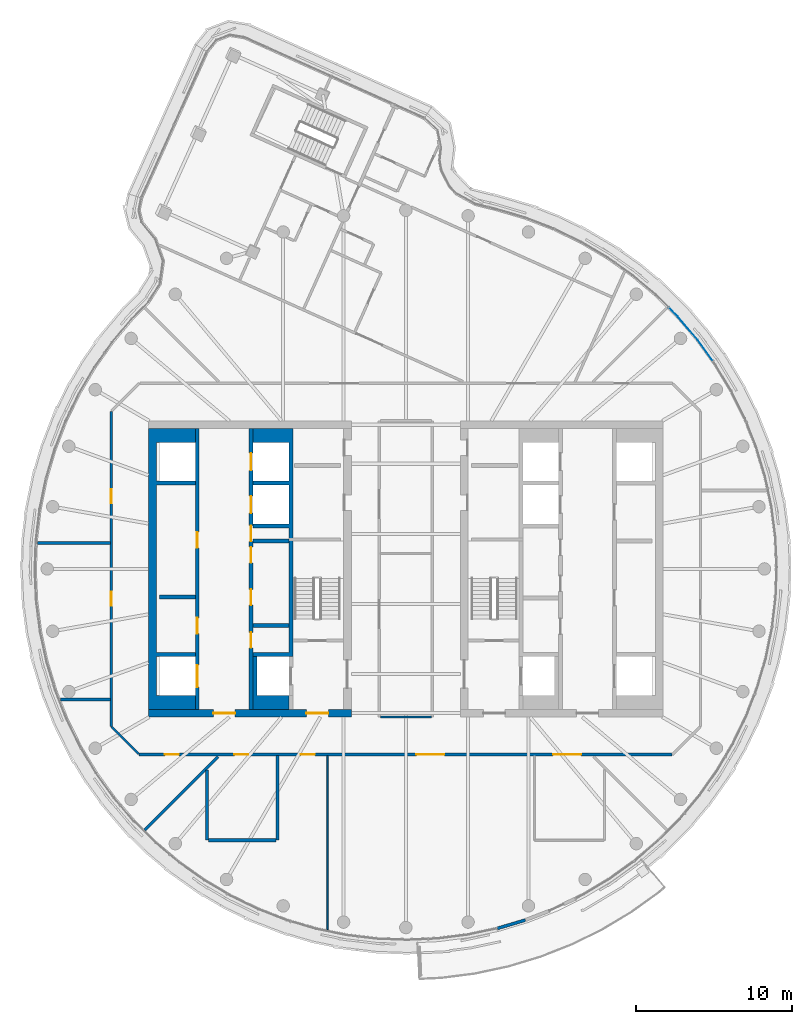
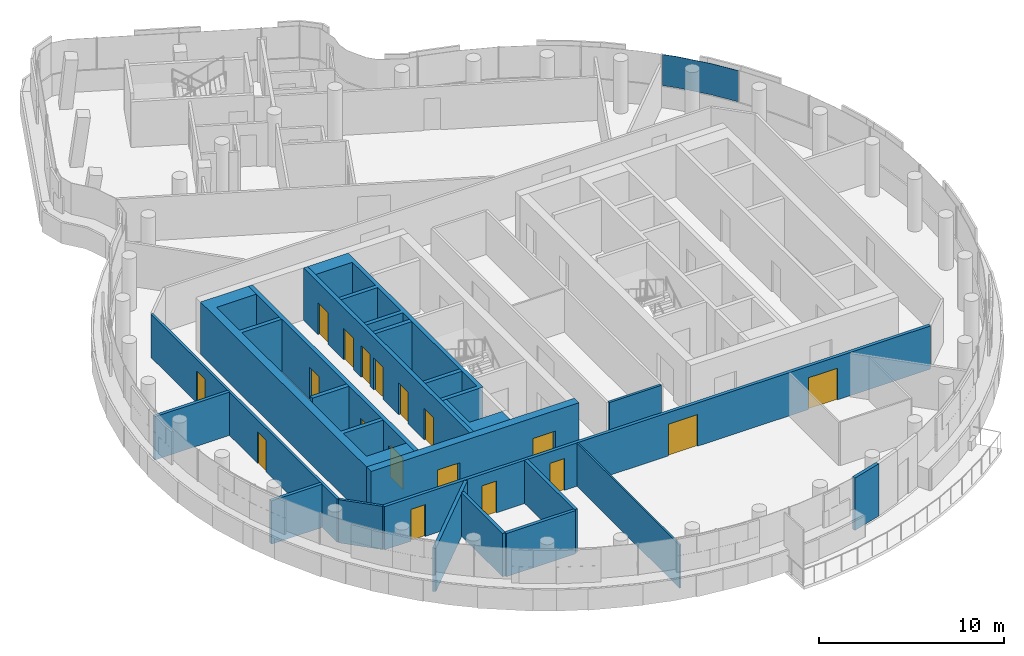
# One storey, part 13 of 21: 21 walls, 18 doors, 1 plate, 18 openings, 1 element without a shape of its own.
"""IFC4 building model written with IfcOpenShell, lengths in metres."""

from ifc_helpers import new_model, si_unit, direction, frame, frame_2d, origin, place, context, subcontext, project, spatial, polyline, rectangle, outline, extrude, material, layer, layer_set, type_object, element, fill, aggregate, save


model = new_model("IFC4")

# Units and contexts
model_context = context("Model", 3, precision=1e-05, world=origin(), true_north=direction((0.0, 1.0)))
body_context = subcontext(model_context, "Body", "Model", "MODEL_VIEW")
ifc_project = project(units=[si_unit("LENGTHUNIT", "METRE"), si_unit("AREAUNIT", "SQUARE_METRE"), si_unit("VOLUMEUNIT", "CUBIC_METRE"), si_unit("PLANEANGLEUNIT", "RADIAN"), si_unit("MASSUNIT", "GRAM", prefix="KILO")], contexts=[model_context])

# Site, building, storey
site_placement = place(None, origin())
site = spatial("IfcSite", under=ifc_project, at=site_placement, CompositionType="ELEMENT")
building_placement = place(site_placement, origin())
building = spatial("IfcBuilding", under=site, at=building_placement, Name="Tamarind Cross Interchange Tower", CompositionType="ELEMENT")
storey_placement = place(building_placement, frame((0.0, 0.0, 271.199951171875)))
storey = spatial("IfcBuildingStorey", under=building, at=storey_placement, Name="L69", CompositionType="ELEMENT", Elevation=271.199951171875)

# Curtain wall, plate
ifc_material_1 = material(Name="Aluminium 6063-T6", Category="aluminium")
ifc_layer_1 = layer(ifc_material_1, 0.139892578125)
ifc_layer_set_1 = layer_set([ifc_layer_1], Name="Aluminium 6063-T6")
curtain_wall_type = type_object("IfcCurtainWallType", Name="Hotel curtain wall, 4.5 m bays", PredefinedType="NOTDEFINED", material=ifc_layer_set_1)
curtain_wall_placement = place(storey_placement, origin())
curtain_wall = element("IfcCurtainWall", 1, at=curtain_wall_placement, inside=storey, type_object=curtain_wall_type, Name="CWS-L69-01", PredefinedType="NOTDEFINED")
ifc_material_2 = material(Name="Laminated low-e glass 6+1.52+6", Category="glass")
ifc_layer_2 = layer(ifc_material_2, 0.02392578125)
ifc_layer_set_2 = layer_set([ifc_layer_2], Name="Laminated low-e glass 6+1.52+6")
plate_type = type_object("IfcPlateType", Name="Vision panel CW2", PredefinedType="CURTAIN_PANEL", material=ifc_layer_set_2)
plate_placement = place(storey_placement, frame((0.0, 0.0, 1.400146484375)))
plate = element("IfcPlate", 2, at=plate_placement, type_object=plate_type, Name="CWP-L69-01-25", PredefinedType="CURTAIN_PANEL", context=body_context, shape_type="SweptSolid", body=[
    extrude(outline(polyline([(19.673828125, 13.345458984375), (18.705810546875, 14.68896484375), (17.4287109375, 16.183349609375), (16.87255859375, 16.735107421875), (16.889404296875, 16.751953125), (17.4462890625, 16.19970703125), (18.724609375, 14.703857421875), (19.693115234375, 13.359375), (19.673828125, 13.345458984375)])), origin(), (0.0, 0.0, 1.0), 2.059814453125),
])
aggregate(curtain_wall, [plate])

# Wall
ifc_material_3 = material(Name="Concrete C40", Category="concrete")
ifc_layer_3 = layer(ifc_material_3, 0.199951171875)
ifc_layer_set_3 = layer_set([ifc_layer_3], Name="Concrete C40")
wall_type_1 = type_object("IfcWallType", Name="Balcony and garden door wall", PredefinedType="SOLIDWALL", material=ifc_layer_set_3)
wall_1_placement = place(storey_placement, frame((5.86865234375, -23.0576171875, 0.0), z_axis=(0.0, 0.0, 1.0), x_axis=(0.958137061689, 0.28630992127, 0.0)))
element("IfcWall", 3, at=wall_1_placement, inside=storey, type_object=wall_type_1, Name="EXW-L69-01-D15L", PredefinedType="SOLIDWALL", context=body_context, shape_type="SweptSolid", body=[
    extrude(rectangle(XDim=1.877685546875, YDim=0.199951171875, at=frame_2d((0.93896484375, 0.0))), origin(), (0.0, 0.0, 1.0), 3.4599609375),
])

# Wall, openings, doors
ifc_material_4 = material(Name="Concrete C50", Category="concrete")
ifc_layer_4 = layer(ifc_material_4, 0.5)
ifc_layer_set_4 = layer_set([ifc_layer_4], Name="Concrete C50")
wall_type_2 = type_object("IfcWallType", Name="Core wall 500 mm Concrete C50", PredefinedType="SHEAR", material=ifc_layer_set_4)
wall_2_placement = place(storey_placement, frame((-16.5, -9.25, 0.0), z_axis=(0.0, 0.0, 1.0), x_axis=(1.0, 0.0, 0.0)))
wall_2 = element("IfcWall", 4, at=wall_2_placement, inside=storey, type_object=wall_type_2, Name="Core wall CWL-L69-W-S", PredefinedType="SHEAR", context=body_context, shape_type="SweptSolid", body=[
    extrude(rectangle(XDim=13.0, YDim=0.5, at=frame_2d((6.5, 0.0))), origin(), (0.0, 0.0, 1.0), 3.4599609375),
])
opening_1_placement = place(wall_2_placement, frame((4.14990234375, 0.0, 0.0)))
opening_1 = element("IfcOpeningElement", 5, at=opening_1_placement, cuts=wall_2, Name="Opening DCW1", PredefinedType="OPENING", context=body_context, shape_type="SweptSolid", body=[
    extrude(rectangle(XDim=1.39990234375, YDim=2.10009765625, at=frame_2d((0.699951171875, 1.050048828125))), frame((0.0, 0.260009765625, 0.0), z_axis=(0.0, -1.0, 0.0), x_axis=(1.0, 0.0, 0.0)), (0.0, 0.0, 1.0), 0.52001953125),
])
opening_2_placement = place(wall_2_placement, frame((10.125, 0.0, 0.0)))
opening_2 = element("IfcOpeningElement", 6, at=opening_2_placement, cuts=wall_2, Name="Opening DCWF", PredefinedType="OPENING", context=body_context, shape_type="SweptSolid", body=[
    extrude(rectangle(XDim=1.39990234375, YDim=2.10009765625, at=frame_2d((0.699951171875, 1.050048828125))), frame((0.0, 0.260009765625, 0.0), z_axis=(0.0, -1.0, 0.0), x_axis=(1.0, 0.0, 0.0)), (0.0, 0.0, 1.0), 0.52001953125),
])
ifc_material_5 = material(Name="Steel, fire-resisting", Category="steel")
door_type_1 = type_object("IfcDoorType", Name="Core fire door 1400 x 2100 FD90", OperationType="SINGLE_SWING_LEFT", PredefinedType="DOOR", material=ifc_material_5)
door_1_placement = place(opening_1_placement, origin())
door_1 = element("IfcDoor", 7, at=door_1_placement, inside=storey, type_object=door_type_1, Name="L69 lift lobby door", OperationType="SINGLE_SWING_LEFT", OverallHeight=2.10009765625, OverallWidth=1.39990234375, PredefinedType="DOOR", context=body_context, shape_type="SweptSolid", body=[
    extrude(rectangle(XDim=1.39990234375, YDim=2.10009765625, at=frame_2d((0.699951171875, 1.050048828125))), frame((0.0, 0.02490234375, 0.0), z_axis=(0.0, -1.0, 0.0), x_axis=(1.0, 0.0, 0.0)), (0.0, 0.0, 1.0), 0.050048828125),
])
fill(opening_1, door_1)
door_2_placement = place(opening_2_placement, origin())
door_2 = element("IfcDoor", 8, at=door_2_placement, inside=storey, type_object=door_type_1, Name="L69 firefighting lobby end door", OperationType="SINGLE_SWING_LEFT", OverallHeight=2.10009765625, OverallWidth=1.39990234375, PredefinedType="DOOR", context=body_context, shape_type="SweptSolid", body=[
    extrude(rectangle(XDim=1.39990234375, YDim=2.10009765625, at=frame_2d((0.699951171875, 1.050048828125))), frame((0.0, 0.02490234375, 0.0), z_axis=(0.0, -1.0, 0.0), x_axis=(1.0, 0.0, 0.0)), (0.0, 0.0, 1.0), 0.050048828125),
])
fill(opening_2, door_2)

# Walls
wall_3_placement = place(storey_placement, origin())
element("IfcWall", 9, at=wall_3_placement, inside=storey, type_object=wall_type_2, Name="Core wall CWL-L69-W-A", PredefinedType="SHEAR", context=body_context, shape_type="SweptSolid", body=[
    extrude(outline(polyline([(-13.5, -8.125), (-16.0, -8.125), (-16.0, -5.625), (-13.5, -5.625), (-13.5, -5.375), (-16.0, -5.375), (-16.0, 5.375), (-13.5, 5.375), (-13.5, 5.625), (-16.0, 5.625), (-16.0, 8.125), (-13.5, 8.125), (-13.5, 9.0), (-16.0, 9.0), (-16.5, 9.0), (-16.5, -9.0), (-16.0, -9.0), (-13.5, -9.0), (-13.5, -8.125)])), origin(), (0.0, 0.0, 1.0), 3.4599609375),
])
ifc_layer_5 = layer(ifc_material_4, 0.25)
ifc_layer_set_5 = layer_set([ifc_layer_5], Name="Concrete C50")
wall_type_3 = type_object("IfcWallType", Name="Core web wall 250 mm Concrete C50", PredefinedType="SHEAR", material=ifc_layer_set_5)
wall_4_placement = place(storey_placement, origin())
element("IfcWall", 10, at=wall_4_placement, inside=storey, type_object=wall_type_3, Name="Core wall CWL-L69-W-BN", PredefinedType="SHEAR", context=body_context, shape_type="SweptSolid", body=[
    extrude(outline(polyline([(-9.800048828125, -5.375), (-9.800048828125, -5.625), (-7.5, -5.625), (-7.25, -5.625), (-7.25, 9.0), (-7.5, 9.0), (-9.800048828125, 9.0), (-9.800048828125, 8.125), (-7.5, 8.125), (-7.5, 5.625), (-9.800048828125, 5.625), (-9.800048828125, 5.375), (-7.5, 5.375), (-7.5, 2.875), (-9.800048828125, 2.875), (-9.800048828125, 2.625), (-7.5, 2.625), (-7.5, -5.375), (-9.800048828125, -5.375)])), origin(), (0.0, 0.0, 1.0), 3.4599609375),
])
wall_5_placement = place(storey_placement, origin())
element("IfcWall", 11, at=wall_5_placement, inside=storey, type_object=wall_type_3, Name="Core wall CWL-L69-W-BS", PredefinedType="SHEAR", context=body_context, shape_type="SweptSolid", body=[
    extrude(outline(polyline([(-7.5, -8.125), (-9.550048828125, -8.125), (-9.550048828125, -5.625), (-9.800048828125, -5.625), (-9.800048828125, -8.125), (-9.800048828125, -9.0), (-7.5, -9.0), (-7.5, -8.125)])), origin(), (0.0, 0.0, 1.0), 3.4599609375),
])

# Wall, openings, doors
wall_6_placement = place(storey_placement, frame((-13.375, -9.0, 0.0), z_axis=(0.0, 0.0, 1.0), x_axis=(0.0, 1.0, 0.0)))
wall_6 = element("IfcWall", 12, at=wall_6_placement, inside=storey, type_object=wall_type_3, Name="Core wall CWL-L69-W-LA", PredefinedType="SHEAR", context=body_context, shape_type="SweptSolid", body=[
    extrude(rectangle(XDim=18.0, YDim=0.25, at=frame_2d((9.0, 0.0))), origin(), (0.0, 0.0, 1.0), 3.4599609375),
])
opening_3_placement = place(wall_6_placement, frame((1.425048828125, 0.0, 0.0)))
opening_3 = element("IfcOpeningElement", 13, at=opening_3_placement, cuts=wall_6, Name="Opening LD1L69", PredefinedType="OPENING", context=body_context, shape_type="SweptSolid", body=[
    extrude(rectangle(XDim=1.39990234375, YDim=2.10009765625, at=frame_2d((0.699951171875, 1.050048828125))), frame((0.0, 0.135009765625, 0.0), z_axis=(0.0, -1.0, 0.0), x_axis=(1.0, 0.0, 0.0)), (0.0, 0.0, 1.0), 0.27001953125),
])
opening_4_placement = place(wall_6_placement, frame((4.85400390625, 0.0, 0.0)))
opening_4 = element("IfcOpeningElement", 14, at=opening_4_placement, cuts=wall_6, Name="Opening DCW9", PredefinedType="OPENING", context=body_context, shape_type="SweptSolid", body=[
    extrude(rectangle(XDim=1.0, YDim=2.10009765625, at=frame_2d((0.5, 1.050048828125))), frame((0.0, 0.135009765625, 0.0), z_axis=(0.0, -1.0, 0.0), x_axis=(1.0, 0.0, 0.0)), (0.0, 0.0, 1.0), 0.27001953125),
])
opening_5_placement = place(wall_6_placement, frame((10.35400390625, 0.0, 0.0)))
opening_5 = element("IfcOpeningElement", 15, at=opening_5_placement, cuts=wall_6, Name="Opening DCW10", PredefinedType="OPENING", context=body_context, shape_type="SweptSolid", body=[
    extrude(rectangle(XDim=1.0, YDim=2.10009765625, at=frame_2d((0.5, 1.050048828125))), frame((0.0, 0.135009765625, 0.0), z_axis=(0.0, -1.0, 0.0), x_axis=(1.0, 0.0, 0.0)), (0.0, 0.0, 1.0), 0.27001953125),
])
door_type_2 = type_object("IfcDoorType", Name="Core fire door 1000 x 2100 FD90", OperationType="SINGLE_SWING_LEFT", PredefinedType="DOOR", material=ifc_material_5)
door_3_placement = place(opening_4_placement, origin())
door_3 = element("IfcDoor", 16, at=door_3_placement, inside=storey, type_object=door_type_2, Name="L69 Staff changing room door", OperationType="SINGLE_SWING_LEFT", OverallHeight=2.10009765625, OverallWidth=1.0, PredefinedType="DOOR", context=body_context, shape_type="SweptSolid", body=[
    extrude(rectangle(XDim=1.0, YDim=2.10009765625, at=frame_2d((0.5, 1.050048828125))), frame((0.0, 0.02490234375, 0.0), z_axis=(0.0, -1.0, 0.0), x_axis=(1.0, 0.0, 0.0)), (0.0, 0.0, 1.0), 0.050048828125),
])
fill(opening_4, door_3)
door_4_placement = place(opening_5_placement, origin())
door_4 = element("IfcDoor", 17, at=door_4_placement, inside=storey, type_object=door_type_2, Name="L69 Ice and vending room door", OperationType="SINGLE_SWING_LEFT", OverallHeight=2.10009765625, OverallWidth=1.0, PredefinedType="DOOR", context=body_context, shape_type="SweptSolid", body=[
    extrude(rectangle(XDim=1.0, YDim=2.10009765625, at=frame_2d((0.5, 1.050048828125))), frame((0.0, 0.02490234375, 0.0), z_axis=(0.0, -1.0, 0.0), x_axis=(1.0, 0.0, 0.0)), (0.0, 0.0, 1.0), 0.050048828125),
])
fill(opening_5, door_4)
ifc_material_6 = material(Name="Stainless steel panel", Category="steel")
door_type_3 = type_object("IfcDoorType", Name="Lift landing door 1400 x 2100 E 120", OperationType="SLIDING_TO_LEFT", PredefinedType="DOOR", material=ifc_material_6)
door_5_placement = place(opening_3_placement, origin())
door_5 = element("IfcDoor", 18, at=door_5_placement, inside=storey, type_object=door_type_3, Name="L69 landing door LF1", OperationType="SLIDING_TO_LEFT", OverallHeight=2.10009765625, OverallWidth=1.39990234375, PredefinedType="DOOR", context=body_context, shape_type="SweptSolid", body=[
    extrude(rectangle(XDim=1.39990234375, YDim=2.10009765625, at=frame_2d((0.699951171875, 1.050048828125))), frame((0.0, 0.02490234375, 0.0), z_axis=(0.0, -1.0, 0.0), x_axis=(1.0, 0.0, 0.0)), (0.0, 0.0, 1.0), 0.050048828125),
])
fill(opening_3, door_5)

wall_7_placement = place(storey_placement, frame((-9.925048828125, -9.0, 0.0), z_axis=(0.0, 0.0, 1.0), x_axis=(0.0, 1.0, 0.0)))
wall_7 = element("IfcWall", 19, at=wall_7_placement, inside=storey, type_object=wall_type_3, Name="Core wall CWL-L69-W-LB", PredefinedType="SHEAR", context=body_context, shape_type="SweptSolid", body=[
    extrude(rectangle(XDim=18.0, YDim=0.25, at=frame_2d((9.0, 0.0))), origin(), (0.0, 0.0, 1.0), 3.4599609375),
])
opening_6_placement = place(wall_7_placement, frame((12.574951171875, 0.0, 0.0)))
opening_6 = element("IfcOpeningElement", 20, at=opening_6_placement, cuts=wall_7, Name="Opening LD11L69", PredefinedType="OPENING", context=body_context, shape_type="SweptSolid", body=[
    extrude(rectangle(XDim=1.10009765625, YDim=2.10009765625, at=frame_2d((0.550048828125, 1.050048828125))), frame((0.0, 0.135009765625, 0.0), z_axis=(0.0, -1.0, 0.0), x_axis=(1.0, 0.0, 0.0)), (0.0, 0.0, 1.0), 0.27001953125),
])
opening_7_placement = place(wall_7_placement, frame((15.324951171875, 0.0, 0.0)))
opening_7 = element("IfcOpeningElement", 21, at=opening_7_placement, cuts=wall_7, Name="Opening LD12L69", PredefinedType="OPENING", context=body_context, shape_type="SweptSolid", body=[
    extrude(rectangle(XDim=1.10009765625, YDim=2.10009765625, at=frame_2d((0.550048828125, 1.050048828125))), frame((0.0, 0.135009765625, 0.0), z_axis=(0.0, -1.0, 0.0), x_axis=(1.0, 0.0, 0.0)), (0.0, 0.0, 1.0), 0.27001953125),
])
opening_8_placement = place(wall_7_placement, frame((3.9375, 0.0, 0.0)))
opening_8 = element("IfcOpeningElement", 22, at=opening_8_placement, cuts=wall_7, Name="Opening DCW21", PredefinedType="OPENING", context=body_context, shape_type="SweptSolid", body=[
    extrude(rectangle(XDim=1.0, YDim=2.10009765625, at=frame_2d((0.5, 1.050048828125))), frame((0.0, 0.135009765625, 0.0), z_axis=(0.0, -1.0, 0.0), x_axis=(1.0, 0.0, 0.0)), (0.0, 0.0, 1.0), 0.27001953125),
])
opening_9_placement = place(wall_7_placement, frame((6.6875, 0.0, 0.0)))
opening_9 = element("IfcOpeningElement", 23, at=opening_9_placement, cuts=wall_7, Name="Opening DCW22", PredefinedType="OPENING", context=body_context, shape_type="SweptSolid", body=[
    extrude(rectangle(XDim=1.0, YDim=2.10009765625, at=frame_2d((0.5, 1.050048828125))), frame((0.0, 0.135009765625, 0.0), z_axis=(0.0, -1.0, 0.0), x_axis=(1.0, 0.0, 0.0)), (0.0, 0.0, 1.0), 0.27001953125),
])
opening_10_placement = place(wall_7_placement, frame((9.39599609375, 0.0, 0.0)))
opening_10 = element("IfcOpeningElement", 24, at=opening_10_placement, cuts=wall_7, Name="Opening DCW21", PredefinedType="OPENING", context=body_context, shape_type="SweptSolid", body=[
    extrude(rectangle(XDim=1.0, YDim=2.10009765625, at=frame_2d((0.5, 1.050048828125))), frame((0.0, 0.135009765625, 0.0), z_axis=(0.0, -1.0, 0.0), x_axis=(1.0, 0.0, 0.0)), (0.0, 0.0, 1.0), 0.27001953125),
])
opening_11_placement = place(wall_7_placement, frame((10.77099609375, 0.0, 0.0)))
opening_11 = element("IfcOpeningElement", 25, at=opening_11_placement, cuts=wall_7, Name="Opening DCW22", PredefinedType="OPENING", context=body_context, shape_type="SweptSolid", body=[
    extrude(rectangle(XDim=1.0, YDim=2.10009765625, at=frame_2d((0.5, 1.050048828125))), frame((0.0, 0.135009765625, 0.0), z_axis=(0.0, -1.0, 0.0), x_axis=(1.0, 0.0, 0.0)), (0.0, 0.0, 1.0), 0.27001953125),
])
door_6_placement = place(opening_8_placement, origin())
door_6 = element("IfcDoor", 26, at=door_6_placement, inside=storey, type_object=door_type_2, Name="L69 Hotel pantry door", OperationType="SINGLE_SWING_LEFT", OverallHeight=2.10009765625, OverallWidth=1.0, PredefinedType="DOOR", context=body_context, shape_type="SweptSolid", body=[
    extrude(rectangle(XDim=1.0, YDim=2.10009765625, at=frame_2d((0.5, 1.050048828125))), frame((0.0, 0.02490234375, 0.0), z_axis=(0.0, -1.0, 0.0), x_axis=(1.0, 0.0, 0.0)), (0.0, 0.0, 1.0), 0.050048828125),
])
fill(opening_8, door_6)
door_7_placement = place(opening_9_placement, origin())
door_7 = element("IfcDoor", 27, at=door_7_placement, inside=storey, type_object=door_type_2, Name="L69 Staff changing room door", OperationType="SINGLE_SWING_LEFT", OverallHeight=2.10009765625, OverallWidth=1.0, PredefinedType="DOOR", context=body_context, shape_type="SweptSolid", body=[
    extrude(rectangle(XDim=1.0, YDim=2.10009765625, at=frame_2d((0.5, 1.050048828125))), frame((0.0, 0.02490234375, 0.0), z_axis=(0.0, -1.0, 0.0), x_axis=(1.0, 0.0, 0.0)), (0.0, 0.0, 1.0), 0.050048828125),
])
fill(opening_9, door_7)
door_8_placement = place(opening_10_placement, origin())
door_8 = element("IfcDoor", 28, at=door_8_placement, inside=storey, type_object=door_type_2, Name="L69 Hotel pantry door", OperationType="SINGLE_SWING_LEFT", OverallHeight=2.10009765625, OverallWidth=1.0, PredefinedType="DOOR", context=body_context, shape_type="SweptSolid", body=[
    extrude(rectangle(XDim=1.0, YDim=2.10009765625, at=frame_2d((0.5, 1.050048828125))), frame((0.0, 0.02490234375, 0.0), z_axis=(0.0, -1.0, 0.0), x_axis=(1.0, 0.0, 0.0)), (0.0, 0.0, 1.0), 0.050048828125),
])
fill(opening_10, door_8)
door_9_placement = place(opening_11_placement, origin())
door_9 = element("IfcDoor", 29, at=door_9_placement, inside=storey, type_object=door_type_2, Name="L69 Staff changing room door", OperationType="SINGLE_SWING_LEFT", OverallHeight=2.10009765625, OverallWidth=1.0, PredefinedType="DOOR", context=body_context, shape_type="SweptSolid", body=[
    extrude(rectangle(XDim=1.0, YDim=2.10009765625, at=frame_2d((0.5, 1.050048828125))), frame((0.0, 0.02490234375, 0.0), z_axis=(0.0, -1.0, 0.0), x_axis=(1.0, 0.0, 0.0)), (0.0, 0.0, 1.0), 0.050048828125),
])
fill(opening_11, door_9)
door_type_4 = type_object("IfcDoorType", Name="Lift landing door 1100 x 2100 E 120", OperationType="SLIDING_TO_LEFT", PredefinedType="DOOR", material=ifc_material_6)
door_10_placement = place(opening_6_placement, origin())
door_10 = element("IfcDoor", 30, at=door_10_placement, inside=storey, type_object=door_type_4, Name="L69 landing door LF11", OperationType="SLIDING_TO_LEFT", OverallHeight=2.10009765625, OverallWidth=1.10009765625, PredefinedType="DOOR", context=body_context, shape_type="SweptSolid", body=[
    extrude(rectangle(XDim=1.10009765625, YDim=2.10009765625, at=frame_2d((0.550048828125, 1.050048828125))), frame((0.0, 0.02490234375, 0.0), z_axis=(0.0, -1.0, 0.0), x_axis=(1.0, 0.0, 0.0)), (0.0, 0.0, 1.0), 0.050048828125),
])
fill(opening_6, door_10)
door_11_placement = place(opening_7_placement, origin())
door_11 = element("IfcDoor", 31, at=door_11_placement, inside=storey, type_object=door_type_4, Name="L69 landing door LF12", OperationType="SLIDING_TO_LEFT", OverallHeight=2.10009765625, OverallWidth=1.10009765625, PredefinedType="DOOR", context=body_context, shape_type="SweptSolid", body=[
    extrude(rectangle(XDim=1.10009765625, YDim=2.10009765625, at=frame_2d((0.550048828125, 1.050048828125))), frame((0.0, 0.02490234375, 0.0), z_axis=(0.0, -1.0, 0.0), x_axis=(1.0, 0.0, 0.0)), (0.0, 0.0, 1.0), 0.050048828125),
])
fill(opening_7, door_11)

# Walls
ifc_material_7 = material(Name="Gypsum board partition on steel studs", Category="steel")
ifc_layer_6 = layer(ifc_material_7, 0.10009765625)
ifc_layer_set_6 = layer_set([ifc_layer_6], Name="Gypsum board partition on steel studs")
wall_type_4 = type_object("IfcWallType", Name="Partition 100 mm EI 90", PredefinedType="PARTITIONING", material=ifc_layer_set_6)
wall_8_placement = place(storey_placement, frame((-5.02197265625, -23.13720703125, 0.0), z_axis=(0.0, 0.0, 1.0), x_axis=(0.0, 1.0, 0.0)))
element("IfcWall", 32, at=wall_8_placement, inside=storey, type_object=wall_type_4, Name="Partition L69-044", PredefinedType="PARTITIONING", context=body_context, shape_type="SweptSolid", body=[
    extrude(rectangle(XDim=11.1572265625, YDim=0.10009765625, at=frame_2d((5.57861328125, 0.0))), origin(), (0.0, 0.0, 1.0), 2.864013671875),
])
ifc_layer_7 = layer(ifc_material_7, 0.14990234375)
ifc_layer_set_7 = layer_set([ifc_layer_7], Name="Gypsum board partition on steel studs")
wall_type_5 = type_object("IfcWallType", Name="Partition 150 mm EI 120", PredefinedType="PARTITIONING", material=ifc_layer_set_7)
wall_9_placement = place(storey_placement, frame((-18.87158203125, -10.12841796875, 0.0), z_axis=(0.0, 0.0, 1.0), x_axis=(0.707106781187, -0.707106781187, 0.0)))
element("IfcWall", 33, at=wall_9_placement, inside=storey, type_object=wall_type_5, Name="Partition L69-001", PredefinedType="PARTITIONING", context=body_context, shape_type="SweptSolid", body=[
    extrude(rectangle(XDim=2.455078125, YDim=0.14990234375, at=frame_2d((1.2275390625, 0.0))), origin(), (0.0, 0.0, 1.0), 2.864013671875),
])
wall_10_placement = place(storey_placement, frame((-1.639892578125, -9.5, 0.0), z_axis=(0.0, 0.0, 1.0), x_axis=(1.0, 0.0, 0.0)))
element("IfcWall", 34, at=wall_10_placement, inside=storey, type_object=wall_type_5, Name="Partition L69-022", PredefinedType="PARTITIONING", context=body_context, shape_type="SweptSolid", body=[
    extrude(rectangle(XDim=3.27978515625, YDim=0.14990234375, at=frame_2d((1.639892578125, 0.0))), origin(), (0.0, 0.0, 1.0), 2.864013671875),
])

# Wall, openings, doors
wall_11_placement = place(storey_placement, frame((-18.89990234375, -10.10009765625, 0.0), z_axis=(0.0, 0.0, 1.0), x_axis=(0.0, 1.0, 0.0)))
wall_11 = element("IfcWall", 35, at=wall_11_placement, inside=storey, type_object=wall_type_5, Name="Partition L69-041", PredefinedType="PARTITIONING", context=body_context, shape_type="SweptSolid", body=[
    extrude(rectangle(XDim=20.2001953125, YDim=0.14990234375, at=frame_2d((10.10009765625, 0.0))), origin(), (0.0, 0.0, 1.0), 2.864013671875),
])
opening_12_placement = place(wall_11_placement, frame((7.72998046875, 0.0, 0.0)))
opening_12 = element("IfcOpeningElement", 36, at=opening_12_placement, cuts=wall_11, Name="Opening D20", PredefinedType="OPENING", context=body_context, shape_type="SweptSolid", body=[
    extrude(rectangle(XDim=0.89990234375, YDim=2.10009765625, at=frame_2d((0.449951171875, 1.050048828125))), frame((0.0, 0.0849609375, 0.0), z_axis=(0.0, -1.0, 0.0), x_axis=(1.0, 0.0, 0.0)), (0.0, 0.0, 1.0), 0.169921875),
])
opening_13_placement = place(wall_11_placement, frame((14.324951171875, 0.0, 0.0)))
opening_13 = element("IfcOpeningElement", 37, at=opening_13_placement, cuts=wall_11, Name="Opening D21", PredefinedType="OPENING", context=body_context, shape_type="SweptSolid", body=[
    extrude(rectangle(XDim=0.89990234375, YDim=2.10009765625, at=frame_2d((0.449951171875, 1.050048828125))), frame((0.0, 0.0849609375, 0.0), z_axis=(0.0, -1.0, 0.0), x_axis=(1.0, 0.0, 0.0)), (0.0, 0.0, 1.0), 0.169921875),
])
ifc_material_8 = material(Name="Fire-resisting door set")
door_type_5 = type_object("IfcDoorType", Name="Interior door 900 x 2100 FD60S", OperationType="SINGLE_SWING_LEFT", PredefinedType="DOOR", material=ifc_material_8)
door_12_placement = place(opening_12_placement, origin())
door_12 = element("IfcDoor", 38, at=door_12_placement, inside=storey, type_object=door_type_5, Name="Door D20", OperationType="SINGLE_SWING_RIGHT", OverallHeight=2.10009765625, OverallWidth=0.89990234375, PredefinedType="DOOR", context=body_context, shape_type="SweptSolid", body=[
    extrude(rectangle(XDim=0.89990234375, YDim=2.10009765625, at=frame_2d((0.449951171875, 1.050048828125))), frame((0.0, 0.02490234375, 0.0), z_axis=(0.0, -1.0, 0.0), x_axis=(1.0, 0.0, 0.0)), (0.0, 0.0, 1.0), 0.050048828125),
])
fill(opening_12, door_12)
door_13_placement = place(opening_13_placement, origin())
door_13 = element("IfcDoor", 39, at=door_13_placement, inside=storey, type_object=door_type_5, Name="Door D21", OperationType="SINGLE_SWING_LEFT", OverallHeight=2.10009765625, OverallWidth=0.89990234375, PredefinedType="DOOR", context=body_context, shape_type="SweptSolid", body=[
    extrude(rectangle(XDim=0.89990234375, YDim=2.10009765625, at=frame_2d((0.449951171875, 1.050048828125))), frame((0.0, 0.02490234375, 0.0), z_axis=(0.0, -1.0, 0.0), x_axis=(1.0, 0.0, 0.0)), (0.0, 0.0, 1.0), 0.050048828125),
])
fill(opening_13, door_13)

# Walls
ifc_layer_8 = layer(ifc_material_7, 0.199951171875)
ifc_layer_set_8 = layer_set([ifc_layer_8], Name="Gypsum board partition on steel studs")
wall_type_6 = type_object("IfcWallType", Name="Partition 200 mm EI 180", PredefinedType="PARTITIONING", material=ifc_layer_set_8)
wall_12_placement = place(storey_placement, frame((-23.628662109375, 1.675048828125, 0.0), z_axis=(0.0, 0.0, 1.0), x_axis=(1.0, 0.0, 0.0)))
element("IfcWall", 40, at=wall_12_placement, inside=storey, type_object=wall_type_6, Name="Partition L69-016", PredefinedType="PARTITIONING", context=body_context, shape_type="SweptSolid", body=[
    extrude(rectangle(XDim=4.673583984375, YDim=0.199951171875, at=frame_2d((2.3369140625, 0.0))), origin(), (0.0, 0.0, 1.0), 2.864013671875),
])
wall_13_placement = place(storey_placement, frame((-22.1484375, -8.3701171875, 0.0), z_axis=(0.0, 0.0, 1.0), x_axis=(1.0, 0.0, 0.0)))
element("IfcWall", 41, at=wall_13_placement, inside=storey, type_object=wall_type_6, Name="Partition L69-017", PredefinedType="PARTITIONING", context=body_context, shape_type="SweptSolid", body=[
    extrude(rectangle(XDim=3.193359375, YDim=0.199951171875, at=frame_2d((1.5966796875, 0.0))), origin(), (0.0, 0.0, 1.0), 2.864013671875),
])

# Wall, openings, doors
wall_14_placement = place(storey_placement, frame((-17.10009765625, -11.89990234375, 0.0), z_axis=(0.0, 0.0, 1.0), x_axis=(1.0, 0.0, 0.0)))
wall_14 = element("IfcWall", 42, at=wall_14_placement, inside=storey, type_object=wall_type_6, Name="Partition L69-018", PredefinedType="PARTITIONING", context=body_context, shape_type="SweptSolid", body=[
    extrude(rectangle(XDim=34.1650390625, YDim=0.199951171875, at=frame_2d((17.08251953125, 0.0))), origin(), (0.0, 0.0, 1.0), 2.864013671875),
])
opening_14_placement = place(wall_14_placement, frame((6.10009765625, 0.0, 0.0)))
opening_14 = element("IfcOpeningElement", 43, at=opening_14_placement, cuts=wall_14, Name="Opening D06", PredefinedType="OPENING", context=body_context, shape_type="SweptSolid", body=[
    extrude(rectangle(XDim=0.89990234375, YDim=2.10009765625, at=frame_2d((0.449951171875, 1.050048828125))), frame((0.0, 0.10986328125, 0.0), z_axis=(0.0, -1.0, 0.0), x_axis=(1.0, 0.0, 0.0)), (0.0, 0.0, 1.0), 0.219970703125),
])
opening_15_placement = place(wall_14_placement, frame((26.541015625, 0.0, 0.0)))
opening_15 = element("IfcOpeningElement", 44, at=opening_15_placement, cuts=wall_14, Name="Opening D07", PredefinedType="OPENING", context=body_context, shape_type="SweptSolid", body=[
    extrude(rectangle(XDim=1.800048828125, YDim=2.10009765625, at=frame_2d((0.89990234375, 1.050048828125))), frame((0.0, 0.10986328125, 0.0), z_axis=(0.0, -1.0, 0.0), x_axis=(1.0, 0.0, 0.0)), (0.0, 0.0, 1.0), 0.219970703125),
])
opening_16_placement = place(wall_14_placement, frame((17.778076171875, 0.0, 0.0)))
opening_16 = element("IfcOpeningElement", 45, at=opening_16_placement, cuts=wall_14, Name="Opening D08", PredefinedType="OPENING", context=body_context, shape_type="SweptSolid", body=[
    extrude(rectangle(XDim=1.800048828125, YDim=2.10009765625, at=frame_2d((0.89990234375, 1.050048828125))), frame((0.0, 0.10986328125, 0.0), z_axis=(0.0, -1.0, 0.0), x_axis=(1.0, 0.0, 0.0)), (0.0, 0.0, 1.0), 0.219970703125),
])
opening_17_placement = place(wall_14_placement, frame((10.35888671875, 0.0, 0.0)))
opening_17 = element("IfcOpeningElement", 46, at=opening_17_placement, cuts=wall_14, Name="Opening D09", PredefinedType="OPENING", context=body_context, shape_type="SweptSolid", body=[
    extrude(rectangle(XDim=0.89990234375, YDim=2.10009765625, at=frame_2d((0.449951171875, 1.050048828125))), frame((0.0, 0.10986328125, 0.0), z_axis=(0.0, -1.0, 0.0), x_axis=(1.0, 0.0, 0.0)), (0.0, 0.0, 1.0), 0.219970703125),
])
opening_18_placement = place(wall_14_placement, frame((1.64990234375, 0.0, 0.0)))
opening_18 = element("IfcOpeningElement", 47, at=opening_18_placement, cuts=wall_14, Name="Opening D10", PredefinedType="OPENING", context=body_context, shape_type="SweptSolid", body=[
    extrude(rectangle(XDim=0.89990234375, YDim=2.10009765625, at=frame_2d((0.449951171875, 1.050048828125))), frame((0.0, 0.10986328125, 0.0), z_axis=(0.0, -1.0, 0.0), x_axis=(1.0, 0.0, 0.0)), (0.0, 0.0, 1.0), 0.219970703125),
])
door_type_6 = type_object("IfcDoorType", Name="Interior door 1800 x 2100 FD120S", OperationType="DOUBLE_DOOR_SINGLE_SWING", PredefinedType="DOOR", material=ifc_material_8)
door_14_placement = place(opening_15_placement, frame((1.800048828125, 0.0, 0.0), z_axis=(0.0, 0.0, 1.0), x_axis=(-1.0, 0.0, 0.0)))
door_14 = element("IfcDoor", 48, at=door_14_placement, inside=storey, type_object=door_type_6, Name="Door D07", OperationType="DOUBLE_DOOR_SINGLE_SWING", OverallHeight=2.10009765625, OverallWidth=1.800048828125, PredefinedType="DOOR", context=body_context, shape_type="SweptSolid", body=[
    extrude(rectangle(XDim=1.800048828125, YDim=2.10009765625, at=frame_2d((0.89990234375, 1.050048828125))), frame((0.0, 0.02490234375, 0.0), z_axis=(0.0, -1.0, 0.0), x_axis=(1.0, 0.0, 0.0)), (0.0, 0.0, 1.0), 0.050048828125),
])
fill(opening_15, door_14)
door_15_placement = place(opening_16_placement, origin())
door_15 = element("IfcDoor", 49, at=door_15_placement, inside=storey, type_object=door_type_6, Name="Door D08", OperationType="DOUBLE_DOOR_SINGLE_SWING", OverallHeight=2.10009765625, OverallWidth=1.800048828125, PredefinedType="DOOR", context=body_context, shape_type="SweptSolid", body=[
    extrude(rectangle(XDim=1.800048828125, YDim=2.10009765625, at=frame_2d((0.89990234375, 1.050048828125))), frame((0.0, 0.02490234375, 0.0), z_axis=(0.0, -1.0, 0.0), x_axis=(1.0, 0.0, 0.0)), (0.0, 0.0, 1.0), 0.050048828125),
])
fill(opening_16, door_15)
door_type_7 = type_object("IfcDoorType", Name="Interior door 900 x 2100 FD120S", OperationType="SINGLE_SWING_LEFT", PredefinedType="DOOR", material=ifc_material_8)
door_16_placement = place(opening_14_placement, frame((0.89990234375, 0.0, 0.0), z_axis=(0.0, 0.0, 1.0), x_axis=(-1.0, 0.0, 0.0)))
door_16 = element("IfcDoor", 50, at=door_16_placement, inside=storey, type_object=door_type_7, Name="Door D06", OperationType="SINGLE_SWING_LEFT", OverallHeight=2.10009765625, OverallWidth=0.89990234375, PredefinedType="DOOR", context=body_context, shape_type="SweptSolid", body=[
    extrude(rectangle(XDim=0.89990234375, YDim=2.10009765625, at=frame_2d((0.449951171875, 1.050048828125))), frame((0.0, 0.02490234375, 0.0), z_axis=(0.0, -1.0, 0.0), x_axis=(1.0, 0.0, 0.0)), (0.0, 0.0, 1.0), 0.050048828125),
])
fill(opening_14, door_16)
door_17_placement = place(opening_17_placement, frame((0.89990234375, 0.0, 0.0), z_axis=(0.0, 0.0, 1.0), x_axis=(-1.0, 0.0, 0.0)))
door_17 = element("IfcDoor", 51, at=door_17_placement, inside=storey, type_object=door_type_7, Name="Door D09", OperationType="SINGLE_SWING_LEFT", OverallHeight=2.10009765625, OverallWidth=0.89990234375, PredefinedType="DOOR", context=body_context, shape_type="SweptSolid", body=[
    extrude(rectangle(XDim=0.89990234375, YDim=2.10009765625, at=frame_2d((0.449951171875, 1.050048828125))), frame((0.0, 0.02490234375, 0.0), z_axis=(0.0, -1.0, 0.0), x_axis=(1.0, 0.0, 0.0)), (0.0, 0.0, 1.0), 0.050048828125),
])
fill(opening_17, door_17)
door_18_placement = place(opening_18_placement, frame((0.89990234375, 0.0, 0.0), z_axis=(0.0, 0.0, 1.0), x_axis=(-1.0, 0.0, 0.0)))
door_18 = element("IfcDoor", 52, at=door_18_placement, inside=storey, type_object=door_type_7, Name="Door D10", OperationType="SINGLE_SWING_LEFT", OverallHeight=2.10009765625, OverallWidth=0.89990234375, PredefinedType="DOOR", context=body_context, shape_type="SweptSolid", body=[
    extrude(rectangle(XDim=0.89990234375, YDim=2.10009765625, at=frame_2d((0.449951171875, 1.050048828125))), frame((0.0, 0.02490234375, 0.0), z_axis=(0.0, -1.0, 0.0), x_axis=(1.0, 0.0, 0.0)), (0.0, 0.0, 1.0), 0.050048828125),
])
fill(opening_18, door_18)

# Walls
wall_15_placement = place(storey_placement, frame((-12.660888671875, -17.39990234375, 0.0), z_axis=(0.0, 0.0, 1.0), x_axis=(1.0, 0.0, 0.0)))
element("IfcWall", 53, at=wall_15_placement, inside=storey, type_object=wall_type_6, Name="Partition L69-020", PredefinedType="PARTITIONING", context=body_context, shape_type="SweptSolid", body=[
    extrude(rectangle(XDim=4.33984375, YDim=0.199951171875, at=frame_2d((2.169921875, 0.0))), origin(), (0.0, 0.0, 1.0), 2.864013671875),
])
wall_16_placement = place(storey_placement, frame((-16.740478515625, -16.740478515625, 0.0), z_axis=(0.0, 0.0, 1.0), x_axis=(0.707106781187, 0.707106781187, 0.0)))
element("IfcWall", 54, at=wall_16_placement, inside=storey, type_object=wall_type_6, Name="Partition L69-027", PredefinedType="PARTITIONING", context=body_context, shape_type="SweptSolid", body=[
    extrude(rectangle(XDim=6.630615234375, YDim=0.199951171875, at=frame_2d((3.3154296875, 0.0))), origin(), (0.0, 0.0, 1.0), 2.864013671875),
])
wall_17_placement = place(storey_placement, frame((-12.740966796875, -17.39990234375, 0.0), z_axis=(0.0, 0.0, 1.0), x_axis=(0.0, 1.0, 0.0)))
element("IfcWall", 55, at=wall_17_placement, inside=storey, type_object=wall_type_6, Name="Partition L69-042", PredefinedType="PARTITIONING", context=body_context, shape_type="SweptSolid", body=[
    extrude(rectangle(XDim=4.4990234375, YDim=0.199951171875, at=frame_2d((2.24951171875, 0.0))), origin(), (0.0, 0.0, 1.0), 2.864013671875),
])
wall_18_placement = place(storey_placement, frame((-8.240966796875, -17.39990234375, 0.0), z_axis=(0.0, 0.0, 1.0), x_axis=(0.0, 1.0, 0.0)))
element("IfcWall", 56, at=wall_18_placement, inside=storey, type_object=wall_type_6, Name="Partition L69-043", PredefinedType="PARTITIONING", context=body_context, shape_type="SweptSolid", body=[
    extrude(rectangle(XDim=5.419921875, YDim=0.199951171875, at=frame_2d((2.7099609375, 0.0))), origin(), (0.0, 0.0, 1.0), 2.864013671875),
])
ifc_layer_9 = layer(ifc_material_3, 0.25)
ifc_layer_set_9 = layer_set([ifc_layer_9], Name="Concrete C40")
wall_type_7 = type_object("IfcWallType", Name="Shaft and lobby wall 250 mm Concrete C40", PredefinedType="PARTITIONING", material=ifc_layer_set_9)
for number, where, z_axis, x_axis, name in (
    (57, (-15.800048828125, -1.7919921875, 0.0), (0.0, 0.0, 1.0), (1.0, 0.0, 0.0), "Shaft wall CWL-L69-W-FPA1"),
    (58, (-9.800048828125, -3.625, 0.0), (0.0, 0.0, 1.0), (1.0, 0.0, 0.0), "Shaft wall CWL-L69-W-FPB1"),
    (59, (-9.800048828125, 1.7919921875, 0.0), (0.0, 0.0, 1.0), (1.0, 0.0, 0.0), "Shaft wall CWL-L69-W-FPB3"),
):
    element("IfcWall", number, at=place(storey_placement, frame(where, z_axis=z_axis, x_axis=x_axis)), inside=storey, type_object=wall_type_7, Name=name, PredefinedType="PARTITIONING", context=body_context, shape_type="SweptSolid", body=[
        extrude(rectangle(XDim=2.300048828125, YDim=0.25, at=frame_2d((1.14990234375, 0.0))), origin(), (0.0, 0.0, 1.0), 3.4599609375),
    ])

save(model, "model.ifc")
